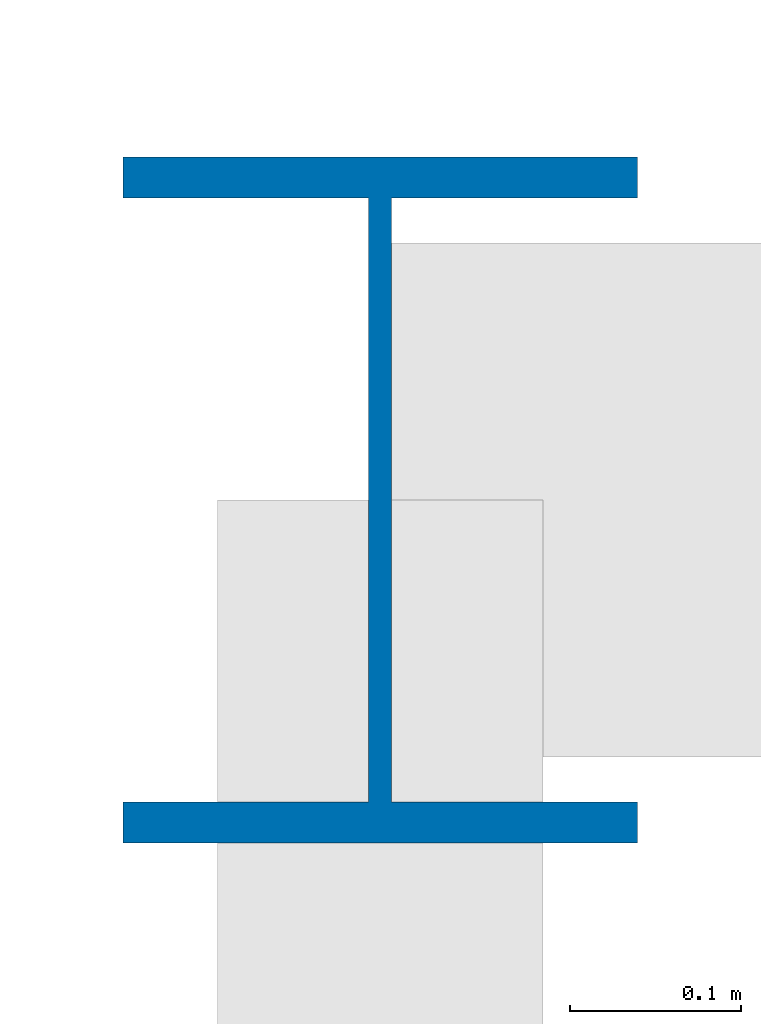
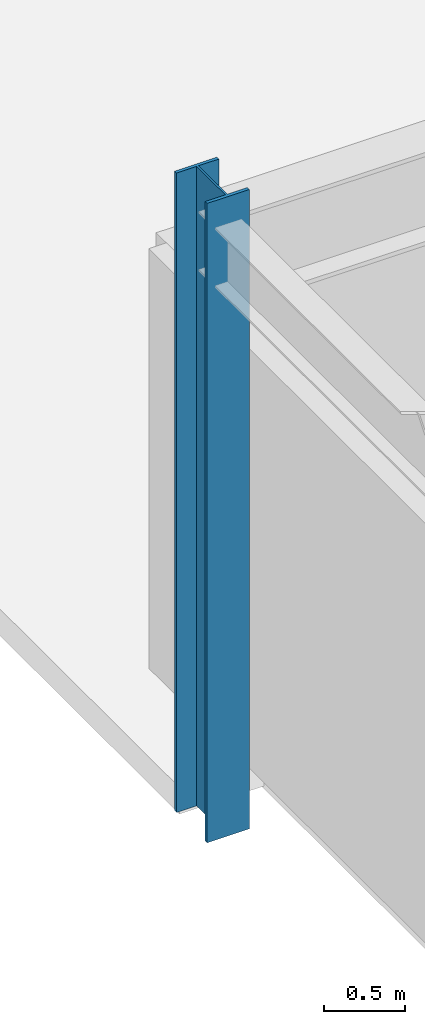
# One storey, part 6 of 41: 1 column.
"""IFC4 building model written with IfcOpenShell, lengths in metres."""

from ifc_helpers import new_model, si_unit, direction, frame, origin, origin_2d, place, context, subcontext, project, spatial, i_section, extrude, material, material_profile, profile_set, type_object, element, save


model = new_model("IFC4")

# Units and contexts
model_context = context("Model", 3, precision=1e-05, world=origin(), true_north=direction((0.0, 1.0)))
body_context = subcontext(model_context, "Body", "Model", "MODEL_VIEW")
ifc_project = project(units=[si_unit("LENGTHUNIT", "METRE"), si_unit("AREAUNIT", "SQUARE_METRE"), si_unit("VOLUMEUNIT", "CUBIC_METRE"), si_unit("PLANEANGLEUNIT", "RADIAN"), si_unit("MASSUNIT", "GRAM", prefix="KILO")], contexts=[model_context])

# Site, building, storey
site_placement = place(None, origin())
site = spatial("IfcSite", under=ifc_project, at=site_placement, CompositionType="ELEMENT")
building_placement = place(site_placement, origin())
building = spatial("IfcBuilding", under=site, at=building_placement, Name="Solvadek Multi-Sports Hall", CompositionType="ELEMENT")
storey_placement = place(building_placement, frame((0.0, 0.0, 14.39990234375)))
storey = spatial("IfcBuildingStorey", under=building, at=storey_placement, Name="L03", CompositionType="ELEMENT", Elevation=14.39990234375)

# Column
ifc_material = material(Name="Steel E350 (350 MPa)", Category="steel")
ifc_material_profile = material_profile(ifc_material, i_section(OverallWidth=0.300048828125, OverallDepth=0.39990234375, WebThickness=0.013427734375, FlangeThickness=0.02392578125, at=origin_2d()), Name="WPB 400")
ifc_profile_set = profile_set([ifc_material_profile], Name="Steel E350 (350 MPa)")
column_type = type_object("IfcColumnType", Name="STR-COL-WPB400", PredefinedType="COLUMN", material=ifc_profile_set)
column_placement = place(storey_placement, frame((57.60009765625, 56.39990234375, 0.0), z_axis=(0.0, 0.0, 1.0), x_axis=(1.0, 0.0, 0.0)))
element("IfcColumn", 1, at=column_placement, inside=storey, type_object=column_type, Name="L03 Column C-07 #121", PredefinedType="COLUMN", context=body_context, shape_type="SweptSolid", body=[
    extrude(i_section(OverallWidth=0.300048828125, OverallDepth=0.39990234375, WebThickness=0.013427734375, FlangeThickness=0.02392578125, at=origin_2d()), origin(), (0.0, 0.0, 1.0), 4.800048828125),
])

save(model, "model.ifc")
